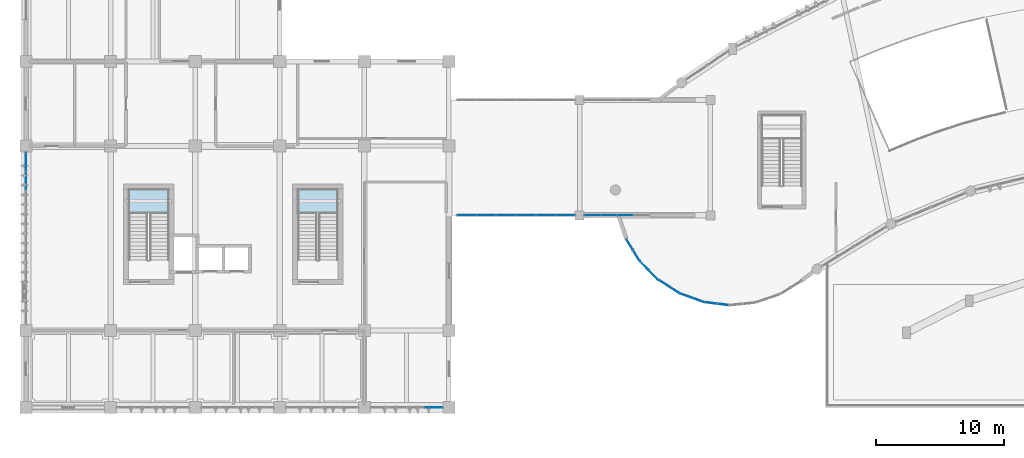
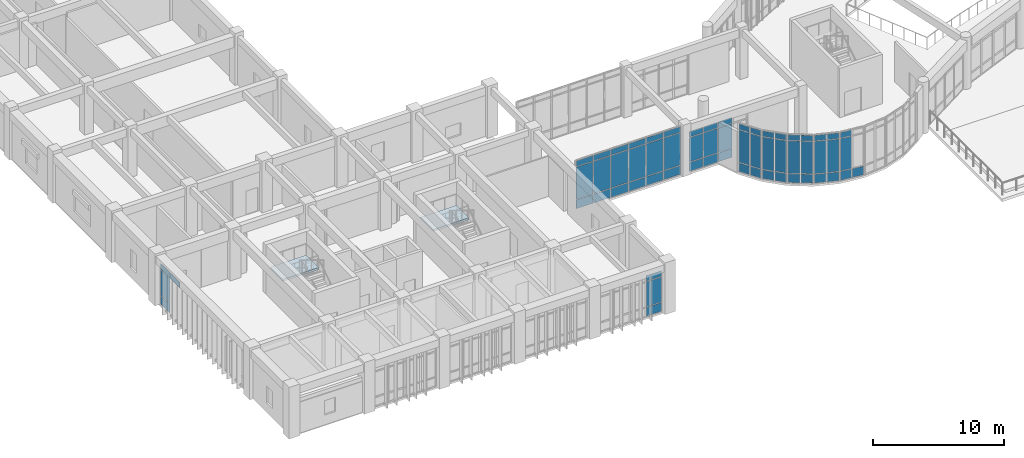
# One storey, part 37 of 65: 62 plates, 2 slabs, 11 elements without a shape of their own.
"""IFC4 building model written with IfcOpenShell, lengths in metres."""

from ifc_helpers import new_model, si_unit, direction, frame, origin, origin_2d, place, context, subcontext, project, spatial, polyline, rectangle, outline, extrude, material, layer, layer_set, type_object, element, aggregate, save


model = new_model("IFC4")

# Units and contexts
model_context = context("Model", 3, precision=1e-05, world=origin(), true_north=direction((0.0, 1.0)))
body_context = subcontext(model_context, "Body", "Model", "MODEL_VIEW")
ifc_project = project(units=[si_unit("LENGTHUNIT", "METRE"), si_unit("AREAUNIT", "SQUARE_METRE"), si_unit("VOLUMEUNIT", "CUBIC_METRE"), si_unit("PLANEANGLEUNIT", "RADIAN"), si_unit("MASSUNIT", "GRAM", prefix="KILO")], contexts=[model_context])

# Site, building, storey
site_placement = place(None, origin())
site = spatial("IfcSite", under=ifc_project, at=site_placement, CompositionType="ELEMENT")
building_placement = place(site_placement, origin())
building = spatial("IfcBuilding", under=site, at=building_placement, Name="Miralva Faculty of Natural Sciences", CompositionType="ELEMENT")
storey_placement = place(building_placement, frame((0.0, 0.0, 10.199951171875)))
storey = spatial("IfcBuildingStorey", under=building, at=storey_placement, Name="L02", CompositionType="ELEMENT", Elevation=10.199951171875)

# Curtain wall, plates
ifc_material_1 = material(Name="Laminated solar-control glass", Category="glass")
ifc_layer_1 = layer(ifc_material_1, 0.179931640625, Name="CW-RND-L01")
ifc_layer_set_1 = layer_set([ifc_layer_1], Name="Laminated solar-control glass")
curtain_wall_type_1 = type_object("IfcCurtainWallType", Name="CW-RND-L01", PredefinedType="USERDEFINED", material=ifc_layer_set_1)
curtain_wall_1_placement = place(storey_placement, origin())
curtain_wall_1 = element("IfcCurtainWall", 1, at=curtain_wall_1_placement, inside=storey, type_object=curtain_wall_type_1, Name="Curtain wall CW-05 L02-96", ObjectType="UNITISED CURTAIN WALL", PredefinedType="USERDEFINED")
ifc_layer_2 = layer(ifc_material_1, 0.028076171875, Name="PNL-P01")
ifc_layer_set_2 = layer_set([ifc_layer_2], Name="Laminated solar-control glass")
plate_type = type_object("IfcPlateType", Name="PNL-P01", PredefinedType="CURTAIN_PANEL", material=ifc_layer_set_2)
plate_1_placement = place(storey_placement, frame((56.412841796875, 11.1591796875, 0.06005859375), z_axis=(0.0, 0.0, 1.0), x_axis=(0.99254734183, -0.121859649701, 0.0)))
plate_1 = element("IfcPlate", 2, at=plate_1_placement, type_object=plate_type, Name="CW-05 panel 1.1", PredefinedType="CURTAIN_PANEL", context=body_context, shape_type="SweptSolid", body=[
    extrude(rectangle(XDim=0.91259765625, YDim=0.028076171875, at=origin_2d()), origin(), (0.0, 0.0, 1.0), 0.81005859375),
])
plate_2_placement = place(storey_placement, frame((56.412841796875, 11.1591796875, 0.93017578125), z_axis=(0.0, 0.0, 1.0), x_axis=(0.99254734183, -0.121859649701, 0.0)))
plate_2 = element("IfcPlate", 3, at=plate_2_placement, type_object=plate_type, Name="CW-05 panel 1.2", PredefinedType="CURTAIN_PANEL", context=body_context, shape_type="SweptSolid", body=[
    extrude(rectangle(XDim=0.91259765625, YDim=0.028076171875, at=origin_2d()), origin(), (0.0, 0.0, 1.0), 2.989990234375),
])
plate_3_placement = place(storey_placement, frame((56.412841796875, 11.1591796875, 3.97998046875), z_axis=(0.0, 0.0, 1.0), x_axis=(0.99254734183, -0.121859649701, 0.0)))
plate_3 = element("IfcPlate", 4, at=plate_3_placement, type_object=plate_type, Name="CW-05 panel 1.3", PredefinedType="CURTAIN_PANEL", context=body_context, shape_type="SweptSolid", body=[
    extrude(rectangle(XDim=0.91259765625, YDim=0.028076171875, at=origin_2d()), origin(), (0.0, 0.0, 1.0), 0.510009765625),
])
plate_4_placement = place(storey_placement, frame((57.38330078125, 11.0400390625, 0.06005859375), z_axis=(0.0, 0.0, 1.0), x_axis=(0.99254734183, -0.121859649701, 0.0)))
plate_4 = element("IfcPlate", 5, at=plate_4_placement, type_object=plate_type, Name="CW-05 panel 2.1", PredefinedType="CURTAIN_PANEL", context=body_context, shape_type="SweptSolid", body=[
    extrude(rectangle(XDim=0.91259765625, YDim=0.028076171875, at=origin_2d()), origin(), (0.0, 0.0, 1.0), 0.81005859375),
])
aggregate(curtain_wall_1, [plate_1, plate_2, plate_3, plate_4])

curtain_wall_2_placement = place(storey_placement, origin())
curtain_wall_2 = element("IfcCurtainWall", 6, at=curtain_wall_2_placement, inside=storey, type_object=curtain_wall_type_1, Name="Curtain wall CW-05 L02-97", ObjectType="UNITISED CURTAIN WALL", PredefinedType="USERDEFINED")
plate_5_placement = place(storey_placement, frame((54.490234375, 11.730224609375, 0.06005859375), z_axis=(0.0, 0.0, 1.0), x_axis=(0.940535451088, -0.339695547876, 0.0)))
plate_5 = element("IfcPlate", 7, at=plate_5_placement, type_object=plate_type, Name="CW-05 panel 1.1", PredefinedType="CURTAIN_PANEL", context=body_context, shape_type="SweptSolid", body=[
    extrude(rectangle(XDim=0.91259765625, YDim=0.028076171875, at=origin_2d()), origin(), (0.0, 0.0, 1.0), 0.81005859375),
])
plate_6_placement = place(storey_placement, frame((54.490234375, 11.730224609375, 0.93017578125), z_axis=(0.0, 0.0, 1.0), x_axis=(0.940535451088, -0.339695547876, 0.0)))
plate_6 = element("IfcPlate", 8, at=plate_6_placement, type_object=plate_type, Name="CW-05 panel 1.2", PredefinedType="CURTAIN_PANEL", context=body_context, shape_type="SweptSolid", body=[
    extrude(rectangle(XDim=0.91259765625, YDim=0.028076171875, at=origin_2d()), origin(), (0.0, 0.0, 1.0), 2.989990234375),
])
plate_7_placement = place(storey_placement, frame((54.490234375, 11.730224609375, 3.97998046875), z_axis=(0.0, 0.0, 1.0), x_axis=(0.940535451088, -0.339695547876, 0.0)))
plate_7 = element("IfcPlate", 9, at=plate_7_placement, type_object=plate_type, Name="CW-05 panel 1.3", PredefinedType="CURTAIN_PANEL", context=body_context, shape_type="SweptSolid", body=[
    extrude(rectangle(XDim=0.91259765625, YDim=0.028076171875, at=origin_2d()), origin(), (0.0, 0.0, 1.0), 0.510009765625),
])
plate_8_placement = place(storey_placement, frame((55.409912109375, 11.39794921875, 0.06005859375), z_axis=(0.0, 0.0, 1.0), x_axis=(0.940535451088, -0.339695547876, 0.0)))
plate_8 = element("IfcPlate", 10, at=plate_8_placement, type_object=plate_type, Name="CW-05 panel 2.1", PredefinedType="CURTAIN_PANEL", context=body_context, shape_type="SweptSolid", body=[
    extrude(rectangle(XDim=0.91259765625, YDim=0.028076171875, at=origin_2d()), origin(), (0.0, 0.0, 1.0), 0.81005859375),
])
plate_9_placement = place(storey_placement, frame((55.409912109375, 11.39794921875, 0.93017578125), z_axis=(0.0, 0.0, 1.0), x_axis=(0.940535451088, -0.339695547876, 0.0)))
plate_9 = element("IfcPlate", 11, at=plate_9_placement, type_object=plate_type, Name="CW-05 panel 2.2", PredefinedType="CURTAIN_PANEL", context=body_context, shape_type="SweptSolid", body=[
    extrude(rectangle(XDim=0.91259765625, YDim=0.028076171875, at=origin_2d()), origin(), (0.0, 0.0, 1.0), 2.989990234375),
])
plate_10_placement = place(storey_placement, frame((55.409912109375, 11.39794921875, 3.97998046875), z_axis=(0.0, 0.0, 1.0), x_axis=(0.940535451088, -0.339695547876, 0.0)))
plate_10 = element("IfcPlate", 12, at=plate_10_placement, type_object=plate_type, Name="CW-05 panel 2.3", PredefinedType="CURTAIN_PANEL", context=body_context, shape_type="SweptSolid", body=[
    extrude(rectangle(XDim=0.91259765625, YDim=0.028076171875, at=origin_2d()), origin(), (0.0, 0.0, 1.0), 0.510009765625),
])
aggregate(curtain_wall_2, [plate_5, plate_6, plate_7, plate_8, plate_9, plate_10])

curtain_wall_3_placement = place(storey_placement, origin())
curtain_wall_3 = element("IfcCurtainWall", 13, at=curtain_wall_3_placement, inside=storey, type_object=curtain_wall_type_1, Name="Curtain wall CW-05 L02-98", ObjectType="UNITISED CURTAIN WALL", PredefinedType="USERDEFINED")
plate_11_placement = place(storey_placement, frame((52.742919921875, 12.714599609375, 0.06005859375), z_axis=(0.0, 0.0, 1.0), x_axis=(0.841379438185, -0.540444854725, 0.0)))
plate_11 = element("IfcPlate", 14, at=plate_11_placement, type_object=plate_type, Name="CW-05 panel 1.1", PredefinedType="CURTAIN_PANEL", context=body_context, shape_type="SweptSolid", body=[
    extrude(rectangle(XDim=0.91259765625, YDim=0.028076171875, at=origin_2d()), origin(), (0.0, 0.0, 1.0), 0.81005859375),
])
plate_12_placement = place(storey_placement, frame((52.742919921875, 12.714599609375, 0.93017578125), z_axis=(0.0, 0.0, 1.0), x_axis=(0.841379438185, -0.540444854725, 0.0)))
plate_12 = element("IfcPlate", 15, at=plate_12_placement, type_object=plate_type, Name="CW-05 panel 1.2", PredefinedType="CURTAIN_PANEL", context=body_context, shape_type="SweptSolid", body=[
    extrude(rectangle(XDim=0.91259765625, YDim=0.028076171875, at=origin_2d()), origin(), (0.0, 0.0, 1.0), 2.989990234375),
])
plate_13_placement = place(storey_placement, frame((52.742919921875, 12.714599609375, 3.97998046875), z_axis=(0.0, 0.0, 1.0), x_axis=(0.841379438185, -0.540444854725, 0.0)))
plate_13 = element("IfcPlate", 16, at=plate_13_placement, type_object=plate_type, Name="CW-05 panel 1.3", PredefinedType="CURTAIN_PANEL", context=body_context, shape_type="SweptSolid", body=[
    extrude(rectangle(XDim=0.91259765625, YDim=0.028076171875, at=origin_2d()), origin(), (0.0, 0.0, 1.0), 0.510009765625),
])
plate_14_placement = place(storey_placement, frame((53.565673828125, 12.186279296875, 0.06005859375), z_axis=(0.0, 0.0, 1.0), x_axis=(0.841379438185, -0.540444854725, 0.0)))
plate_14 = element("IfcPlate", 17, at=plate_14_placement, type_object=plate_type, Name="CW-05 panel 2.1", PredefinedType="CURTAIN_PANEL", context=body_context, shape_type="SweptSolid", body=[
    extrude(rectangle(XDim=0.91259765625, YDim=0.028076171875, at=origin_2d()), origin(), (0.0, 0.0, 1.0), 0.81005859375),
])
plate_15_placement = place(storey_placement, frame((53.565673828125, 12.186279296875, 0.93017578125), z_axis=(0.0, 0.0, 1.0), x_axis=(0.841379438185, -0.540444854725, 0.0)))
plate_15 = element("IfcPlate", 18, at=plate_15_placement, type_object=plate_type, Name="CW-05 panel 2.2", PredefinedType="CURTAIN_PANEL", context=body_context, shape_type="SweptSolid", body=[
    extrude(rectangle(XDim=0.91259765625, YDim=0.028076171875, at=origin_2d()), origin(), (0.0, 0.0, 1.0), 2.989990234375),
])
plate_16_placement = place(storey_placement, frame((53.565673828125, 12.186279296875, 3.97998046875), z_axis=(0.0, 0.0, 1.0), x_axis=(0.841379438185, -0.540444854725, 0.0)))
plate_16 = element("IfcPlate", 19, at=plate_16_placement, type_object=plate_type, Name="CW-05 panel 2.3", PredefinedType="CURTAIN_PANEL", context=body_context, shape_type="SweptSolid", body=[
    extrude(rectangle(XDim=0.91259765625, YDim=0.028076171875, at=origin_2d()), origin(), (0.0, 0.0, 1.0), 0.510009765625),
])
aggregate(curtain_wall_3, [plate_11, plate_12, plate_13, plate_14, plate_15, plate_16])

curtain_wall_4_placement = place(storey_placement, origin())
curtain_wall_4 = element("IfcCurtainWall", 20, at=curtain_wall_4_placement, inside=storey, type_object=curtain_wall_type_1, Name="Curtain wall CW-05 L02-99", ObjectType="UNITISED CURTAIN WALL", PredefinedType="USERDEFINED")
plate_17_placement = place(storey_placement, frame((51.258544921875, 14.063232421875, 0.06005859375), z_axis=(0.0, 0.0, 1.0), x_axis=(0.700018458929, -0.714124749017, 0.0)))
plate_17 = element("IfcPlate", 21, at=plate_17_placement, type_object=plate_type, Name="CW-05 panel 1.1", PredefinedType="CURTAIN_PANEL", context=body_context, shape_type="SweptSolid", body=[
    extrude(rectangle(XDim=0.91259765625, YDim=0.028076171875, at=origin_2d()), origin(), (0.0, 0.0, 1.0), 0.81005859375),
])
plate_18_placement = place(storey_placement, frame((51.258544921875, 14.063232421875, 0.93017578125), z_axis=(0.0, 0.0, 1.0), x_axis=(0.700018458929, -0.714124749017, 0.0)))
plate_18 = element("IfcPlate", 22, at=plate_18_placement, type_object=plate_type, Name="CW-05 panel 1.2", PredefinedType="CURTAIN_PANEL", context=body_context, shape_type="SweptSolid", body=[
    extrude(rectangle(XDim=0.91259765625, YDim=0.028076171875, at=origin_2d()), origin(), (0.0, 0.0, 1.0), 2.989990234375),
])
plate_19_placement = place(storey_placement, frame((51.258544921875, 14.063232421875, 3.97998046875), z_axis=(0.0, 0.0, 1.0), x_axis=(0.700018458929, -0.714124749017, 0.0)))
plate_19 = element("IfcPlate", 23, at=plate_19_placement, type_object=plate_type, Name="CW-05 panel 1.3", PredefinedType="CURTAIN_PANEL", context=body_context, shape_type="SweptSolid", body=[
    extrude(rectangle(XDim=0.91259765625, YDim=0.028076171875, at=origin_2d()), origin(), (0.0, 0.0, 1.0), 0.510009765625),
])
plate_20_placement = place(storey_placement, frame((51.94287109375, 13.364990234375, 0.06005859375), z_axis=(0.0, 0.0, 1.0), x_axis=(0.700018458929, -0.714124749017, 0.0)))
plate_20 = element("IfcPlate", 24, at=plate_20_placement, type_object=plate_type, Name="CW-05 panel 2.1", PredefinedType="CURTAIN_PANEL", context=body_context, shape_type="SweptSolid", body=[
    extrude(rectangle(XDim=0.91259765625, YDim=0.028076171875, at=origin_2d()), origin(), (0.0, 0.0, 1.0), 0.81005859375),
])
plate_21_placement = place(storey_placement, frame((51.94287109375, 13.364990234375, 0.93017578125), z_axis=(0.0, 0.0, 1.0), x_axis=(0.700018458929, -0.714124749017, 0.0)))
plate_21 = element("IfcPlate", 25, at=plate_21_placement, type_object=plate_type, Name="CW-05 panel 2.2", PredefinedType="CURTAIN_PANEL", context=body_context, shape_type="SweptSolid", body=[
    extrude(rectangle(XDim=0.91259765625, YDim=0.028076171875, at=origin_2d()), origin(), (0.0, 0.0, 1.0), 2.989990234375),
])
plate_22_placement = place(storey_placement, frame((51.94287109375, 13.364990234375, 3.97998046875), z_axis=(0.0, 0.0, 1.0), x_axis=(0.700018458929, -0.714124749017, 0.0)))
plate_22 = element("IfcPlate", 26, at=plate_22_placement, type_object=plate_type, Name="CW-05 panel 2.3", PredefinedType="CURTAIN_PANEL", context=body_context, shape_type="SweptSolid", body=[
    extrude(rectangle(XDim=0.91259765625, YDim=0.028076171875, at=origin_2d()), origin(), (0.0, 0.0, 1.0), 0.510009765625),
])
aggregate(curtain_wall_4, [plate_17, plate_18, plate_19, plate_20, plate_21, plate_22])

curtain_wall_5_placement = place(storey_placement, origin())
curtain_wall_5 = element("IfcCurtainWall", 27, at=curtain_wall_5_placement, inside=storey, type_object=curtain_wall_type_1, Name="Curtain wall CW-05 L02-100", ObjectType="UNITISED CURTAIN WALL", PredefinedType="USERDEFINED")
plate_23_placement = place(storey_placement, frame((50.111328125, 15.70849609375, 0.06005859375), z_axis=(0.0, 0.0, 1.0), x_axis=(0.523550543884, -0.851994617353, 0.0)))
plate_23 = element("IfcPlate", 28, at=plate_23_placement, type_object=plate_type, Name="CW-05 panel 1.1", PredefinedType="CURTAIN_PANEL", context=body_context, shape_type="SweptSolid", body=[
    extrude(rectangle(XDim=0.91259765625, YDim=0.028076171875, at=origin_2d()), origin(), (0.0, 0.0, 1.0), 0.81005859375),
])
plate_24_placement = place(storey_placement, frame((50.111328125, 15.70849609375, 0.93017578125), z_axis=(0.0, 0.0, 1.0), x_axis=(0.523550543884, -0.851994617353, 0.0)))
plate_24 = element("IfcPlate", 29, at=plate_24_placement, type_object=plate_type, Name="CW-05 panel 1.2", PredefinedType="CURTAIN_PANEL", context=body_context, shape_type="SweptSolid", body=[
    extrude(rectangle(XDim=0.91259765625, YDim=0.028076171875, at=origin_2d()), origin(), (0.0, 0.0, 1.0), 2.989990234375),
])
plate_25_placement = place(storey_placement, frame((50.111328125, 15.70849609375, 3.97998046875), z_axis=(0.0, 0.0, 1.0), x_axis=(0.523550543884, -0.851994617353, 0.0)))
plate_25 = element("IfcPlate", 30, at=plate_25_placement, type_object=plate_type, Name="CW-05 panel 1.3", PredefinedType="CURTAIN_PANEL", context=body_context, shape_type="SweptSolid", body=[
    extrude(rectangle(XDim=0.91259765625, YDim=0.028076171875, at=origin_2d()), origin(), (0.0, 0.0, 1.0), 0.510009765625),
])
plate_26_placement = place(storey_placement, frame((50.623046875, 14.87548828125, 0.06005859375), z_axis=(0.0, 0.0, 1.0), x_axis=(0.523550543884, -0.851994617353, 0.0)))
plate_26 = element("IfcPlate", 31, at=plate_26_placement, type_object=plate_type, Name="CW-05 panel 2.1", PredefinedType="CURTAIN_PANEL", context=body_context, shape_type="SweptSolid", body=[
    extrude(rectangle(XDim=0.91259765625, YDim=0.028076171875, at=origin_2d()), origin(), (0.0, 0.0, 1.0), 0.81005859375),
])
plate_27_placement = place(storey_placement, frame((50.623046875, 14.87548828125, 0.93017578125), z_axis=(0.0, 0.0, 1.0), x_axis=(0.523550543884, -0.851994617353, 0.0)))
plate_27 = element("IfcPlate", 32, at=plate_27_placement, type_object=plate_type, Name="CW-05 panel 2.2", PredefinedType="CURTAIN_PANEL", context=body_context, shape_type="SweptSolid", body=[
    extrude(rectangle(XDim=0.91259765625, YDim=0.028076171875, at=origin_2d()), origin(), (0.0, 0.0, 1.0), 2.989990234375),
])
plate_28_placement = place(storey_placement, frame((50.623046875, 14.87548828125, 3.97998046875), z_axis=(0.0, 0.0, 1.0), x_axis=(0.523550543884, -0.851994617353, 0.0)))
plate_28 = element("IfcPlate", 33, at=plate_28_placement, type_object=plate_type, Name="CW-05 panel 2.3", PredefinedType="CURTAIN_PANEL", context=body_context, shape_type="SweptSolid", body=[
    extrude(rectangle(XDim=0.91259765625, YDim=0.028076171875, at=origin_2d()), origin(), (0.0, 0.0, 1.0), 0.510009765625),
])
aggregate(curtain_wall_5, [plate_23, plate_24, plate_25, plate_26, plate_27, plate_28])

ifc_layer_3 = layer(ifc_material_1, 0.179931640625, Name="CW-TWR-L01")
ifc_layer_set_3 = layer_set([ifc_layer_3], Name="Laminated solar-control glass")
curtain_wall_type_2 = type_object("IfcCurtainWallType", Name="CW-TWR-L01", PredefinedType="USERDEFINED", material=ifc_layer_set_3)
curtain_wall_6_placement = place(storey_placement, origin())
curtain_wall_6 = element("IfcCurtainWall", 34, at=curtain_wall_6_placement, inside=storey, type_object=curtain_wall_type_2, Name="Curtain wall CW-13 L02-222", ObjectType="UNITISED CURTAIN WALL", PredefinedType="USERDEFINED")
plate_29_placement = place(storey_placement, frame((34.8173828125, 3.0, 0.06005859375), z_axis=(0.0, 0.0, 1.0), x_axis=(1.0, 0.0, 0.0)))
plate_29 = element("IfcPlate", 35, at=plate_29_placement, type_object=plate_type, Name="CW-13 panel 4.1", PredefinedType="CURTAIN_PANEL", context=body_context, shape_type="SweptSolid", body=[
    extrude(rectangle(XDim=1.324951171875, YDim=0.028076171875, at=origin_2d()), origin(), (0.0, 0.0, 1.0), 0.81005859375),
])
plate_30_placement = place(storey_placement, frame((34.8173828125, 3.0, 0.93017578125), z_axis=(0.0, 0.0, 1.0), x_axis=(1.0, 0.0, 0.0)))
plate_30 = element("IfcPlate", 36, at=plate_30_placement, type_object=plate_type, Name="CW-13 panel 4.2", PredefinedType="CURTAIN_PANEL", context=body_context, shape_type="SweptSolid", body=[
    extrude(rectangle(XDim=1.324951171875, YDim=0.028076171875, at=origin_2d()), origin(), (0.0, 0.0, 1.0), 2.31494140625),
])
plate_31_placement = place(storey_placement, frame((34.8173828125, 3.0, 3.30517578125), z_axis=(0.0, 0.0, 1.0), x_axis=(1.0, 0.0, 0.0)))
plate_31 = element("IfcPlate", 37, at=plate_31_placement, type_object=plate_type, Name="CW-13 panel 4.3", PredefinedType="CURTAIN_PANEL", context=body_context, shape_type="SweptSolid", body=[
    extrude(rectangle(XDim=1.324951171875, YDim=0.028076171875, at=origin_2d()), origin(), (0.0, 0.0, 1.0), 0.510009765625),
])
aggregate(curtain_wall_6, [plate_29, plate_30, plate_31])

curtain_wall_7_placement = place(storey_placement, origin())
curtain_wall_7 = element("IfcCurtainWall", 38, at=curtain_wall_7_placement, inside=storey, type_object=curtain_wall_type_2, Name="Curtain wall CW-13 L02-223", ObjectType="UNITISED CURTAIN WALL", PredefinedType="USERDEFINED")
plate_32_placement = place(storey_placement, frame((3.0, 20.68994140625, 3.30517578125), z_axis=(0.0, 0.0, 1.0), x_axis=(0.0, 1.0, 0.0)))
plate_32 = element("IfcPlate", 39, at=plate_32_placement, type_object=plate_type, Name="CW-13 panel 8.3", PredefinedType="CURTAIN_PANEL", context=body_context, shape_type="SweptSolid", body=[
    extrude(rectangle(XDim=1.431640625, YDim=0.028076171875, at=origin_2d()), origin(), (0.0, 0.0, 1.0), 0.510009765625),
])
plate_33_placement = place(storey_placement, frame((3.0, 22.17041015625, 0.06005859375), z_axis=(0.0, 0.0, 1.0), x_axis=(0.0, 1.0, 0.0)))
plate_33 = element("IfcPlate", 40, at=plate_33_placement, type_object=plate_type, Name="CW-13 panel 9.1", PredefinedType="CURTAIN_PANEL", context=body_context, shape_type="SweptSolid", body=[
    extrude(rectangle(XDim=1.399169921875, YDim=0.028076171875, at=origin_2d()), origin(), (0.0, 0.0, 1.0), 0.81005859375),
])
plate_34_placement = place(storey_placement, frame((3.0, 22.17041015625, 0.93017578125), z_axis=(0.0, 0.0, 1.0), x_axis=(0.0, 1.0, 0.0)))
plate_34 = element("IfcPlate", 41, at=plate_34_placement, type_object=plate_type, Name="CW-13 panel 9.2", PredefinedType="CURTAIN_PANEL", context=body_context, shape_type="SweptSolid", body=[
    extrude(rectangle(XDim=1.399169921875, YDim=0.028076171875, at=origin_2d()), origin(), (0.0, 0.0, 1.0), 2.31494140625),
])
plate_35_placement = place(storey_placement, frame((3.0, 22.17041015625, 3.30517578125), z_axis=(0.0, 0.0, 1.0), x_axis=(0.0, 1.0, 0.0)))
plate_35 = element("IfcPlate", 42, at=plate_35_placement, type_object=plate_type, Name="CW-13 panel 9.3", PredefinedType="CURTAIN_PANEL", context=body_context, shape_type="SweptSolid", body=[
    extrude(rectangle(XDim=1.399169921875, YDim=0.028076171875, at=origin_2d()), origin(), (0.0, 0.0, 1.0), 0.510009765625),
])
aggregate(curtain_wall_7, [plate_32, plate_33, plate_34, plate_35])

ifc_layer_4 = layer(ifc_material_1, 0.179931640625, Name="CW-COM-L01")
ifc_layer_set_4 = layer_set([ifc_layer_4], Name="Laminated solar-control glass")
curtain_wall_type_3 = type_object("IfcCurtainWallType", Name="CW-COM-L01", PredefinedType="USERDEFINED", material=ifc_layer_set_4)
curtain_wall_8_placement = place(storey_placement, origin())
curtain_wall_8 = element("IfcCurtainWall", 43, at=curtain_wall_8_placement, inside=storey, type_object=curtain_wall_type_3, Name="Curtain wall CW-10 L02-294", ObjectType="UNITISED CURTAIN WALL", PredefinedType="USERDEFINED")
plate_36_placement = place(storey_placement, frame((37.405517578125, 18.0, 0.06005859375), z_axis=(0.0, 0.0, 1.0), x_axis=(1.0, 0.0, 0.0)))
plate_36 = element("IfcPlate", 44, at=plate_36_placement, type_object=plate_type, Name="CW-10 panel 1.1", PredefinedType="CURTAIN_PANEL", context=body_context, shape_type="SweptSolid", body=[
    extrude(rectangle(XDim=1.450927734375, YDim=0.028076171875, at=origin_2d()), origin(), (0.0, 0.0, 1.0), 0.81005859375),
])
plate_37_placement = place(storey_placement, frame((37.405517578125, 18.0, 0.93017578125), z_axis=(0.0, 0.0, 1.0), x_axis=(1.0, 0.0, 0.0)))
plate_37 = element("IfcPlate", 45, at=plate_37_placement, type_object=plate_type, Name="CW-10 panel 1.2", PredefinedType="CURTAIN_PANEL", context=body_context, shape_type="SweptSolid", body=[
    extrude(rectangle(XDim=1.450927734375, YDim=0.028076171875, at=origin_2d()), origin(), (0.0, 0.0, 1.0), 2.989990234375),
])
plate_38_placement = place(storey_placement, frame((37.405517578125, 18.0, 3.97998046875), z_axis=(0.0, 0.0, 1.0), x_axis=(1.0, 0.0, 0.0)))
plate_38 = element("IfcPlate", 46, at=plate_38_placement, type_object=plate_type, Name="CW-10 panel 1.3", PredefinedType="CURTAIN_PANEL", context=body_context, shape_type="SweptSolid", body=[
    extrude(rectangle(XDim=1.450927734375, YDim=0.028076171875, at=origin_2d()), origin(), (0.0, 0.0, 1.0), 0.510009765625),
])
plate_39_placement = place(storey_placement, frame((38.93115234375, 18.0, 0.06005859375), z_axis=(0.0, 0.0, 1.0), x_axis=(1.0, 0.0, 0.0)))
plate_39 = element("IfcPlate", 47, at=plate_39_placement, type_object=plate_type, Name="CW-10 panel 2.1", PredefinedType="CURTAIN_PANEL", context=body_context, shape_type="SweptSolid", body=[
    extrude(rectangle(XDim=1.480712890625, YDim=0.028076171875, at=origin_2d()), origin(), (0.0, 0.0, 1.0), 0.81005859375),
])
plate_40_placement = place(storey_placement, frame((38.93115234375, 18.0, 0.93017578125), z_axis=(0.0, 0.0, 1.0), x_axis=(1.0, 0.0, 0.0)))
plate_40 = element("IfcPlate", 48, at=plate_40_placement, type_object=plate_type, Name="CW-10 panel 2.2", PredefinedType="CURTAIN_PANEL", context=body_context, shape_type="SweptSolid", body=[
    extrude(rectangle(XDim=1.480712890625, YDim=0.028076171875, at=origin_2d()), origin(), (0.0, 0.0, 1.0), 2.989990234375),
])
plate_41_placement = place(storey_placement, frame((38.93115234375, 18.0, 3.97998046875), z_axis=(0.0, 0.0, 1.0), x_axis=(1.0, 0.0, 0.0)))
plate_41 = element("IfcPlate", 49, at=plate_41_placement, type_object=plate_type, Name="CW-10 panel 2.3", PredefinedType="CURTAIN_PANEL", context=body_context, shape_type="SweptSolid", body=[
    extrude(rectangle(XDim=1.480712890625, YDim=0.028076171875, at=origin_2d()), origin(), (0.0, 0.0, 1.0), 0.510009765625),
])
plate_42_placement = place(storey_placement, frame((40.47216796875, 18.0, 0.06005859375), z_axis=(0.0, 0.0, 1.0), x_axis=(1.0, 0.0, 0.0)))
plate_42 = element("IfcPlate", 50, at=plate_42_placement, type_object=plate_type, Name="CW-10 panel 3.1", PredefinedType="CURTAIN_PANEL", context=body_context, shape_type="SweptSolid", body=[
    extrude(rectangle(XDim=1.480712890625, YDim=0.028076171875, at=origin_2d()), origin(), (0.0, 0.0, 1.0), 0.81005859375),
])
plate_43_placement = place(storey_placement, frame((40.47216796875, 18.0, 0.93017578125), z_axis=(0.0, 0.0, 1.0), x_axis=(1.0, 0.0, 0.0)))
plate_43 = element("IfcPlate", 51, at=plate_43_placement, type_object=plate_type, Name="CW-10 panel 3.2", PredefinedType="CURTAIN_PANEL", context=body_context, shape_type="SweptSolid", body=[
    extrude(rectangle(XDim=1.480712890625, YDim=0.028076171875, at=origin_2d()), origin(), (0.0, 0.0, 1.0), 2.989990234375),
])
plate_44_placement = place(storey_placement, frame((40.47216796875, 18.0, 3.97998046875), z_axis=(0.0, 0.0, 1.0), x_axis=(1.0, 0.0, 0.0)))
plate_44 = element("IfcPlate", 52, at=plate_44_placement, type_object=plate_type, Name="CW-10 panel 3.3", PredefinedType="CURTAIN_PANEL", context=body_context, shape_type="SweptSolid", body=[
    extrude(rectangle(XDim=1.480712890625, YDim=0.028076171875, at=origin_2d()), origin(), (0.0, 0.0, 1.0), 0.510009765625),
])
plate_45_placement = place(storey_placement, frame((42.012939453125, 18.0, 0.06005859375), z_axis=(0.0, 0.0, 1.0), x_axis=(1.0, 0.0, 0.0)))
plate_45 = element("IfcPlate", 53, at=plate_45_placement, type_object=plate_type, Name="CW-10 panel 4.1", PredefinedType="CURTAIN_PANEL", context=body_context, shape_type="SweptSolid", body=[
    extrude(rectangle(XDim=1.480712890625, YDim=0.028076171875, at=origin_2d()), origin(), (0.0, 0.0, 1.0), 0.81005859375),
])
plate_46_placement = place(storey_placement, frame((42.012939453125, 18.0, 0.93017578125), z_axis=(0.0, 0.0, 1.0), x_axis=(1.0, 0.0, 0.0)))
plate_46 = element("IfcPlate", 54, at=plate_46_placement, type_object=plate_type, Name="CW-10 panel 4.2", PredefinedType="CURTAIN_PANEL", context=body_context, shape_type="SweptSolid", body=[
    extrude(rectangle(XDim=1.480712890625, YDim=0.028076171875, at=origin_2d()), origin(), (0.0, 0.0, 1.0), 2.989990234375),
])
plate_47_placement = place(storey_placement, frame((42.012939453125, 18.0, 3.97998046875), z_axis=(0.0, 0.0, 1.0), x_axis=(1.0, 0.0, 0.0)))
plate_47 = element("IfcPlate", 55, at=plate_47_placement, type_object=plate_type, Name="CW-10 panel 4.3", PredefinedType="CURTAIN_PANEL", context=body_context, shape_type="SweptSolid", body=[
    extrude(rectangle(XDim=1.480712890625, YDim=0.028076171875, at=origin_2d()), origin(), (0.0, 0.0, 1.0), 0.510009765625),
])
plate_48_placement = place(storey_placement, frame((43.5537109375, 18.0, 0.06005859375), z_axis=(0.0, 0.0, 1.0), x_axis=(1.0, 0.0, 0.0)))
plate_48 = element("IfcPlate", 56, at=plate_48_placement, type_object=plate_type, Name="CW-10 panel 5.1", PredefinedType="CURTAIN_PANEL", context=body_context, shape_type="SweptSolid", body=[
    extrude(rectangle(XDim=1.480712890625, YDim=0.028076171875, at=origin_2d()), origin(), (0.0, 0.0, 1.0), 0.81005859375),
])
plate_49_placement = place(storey_placement, frame((43.5537109375, 18.0, 0.93017578125), z_axis=(0.0, 0.0, 1.0), x_axis=(1.0, 0.0, 0.0)))
plate_49 = element("IfcPlate", 57, at=plate_49_placement, type_object=plate_type, Name="CW-10 panel 5.2", PredefinedType="CURTAIN_PANEL", context=body_context, shape_type="SweptSolid", body=[
    extrude(rectangle(XDim=1.480712890625, YDim=0.028076171875, at=origin_2d()), origin(), (0.0, 0.0, 1.0), 2.989990234375),
])
plate_50_placement = place(storey_placement, frame((43.5537109375, 18.0, 3.97998046875), z_axis=(0.0, 0.0, 1.0), x_axis=(1.0, 0.0, 0.0)))
plate_50 = element("IfcPlate", 58, at=plate_50_placement, type_object=plate_type, Name="CW-10 panel 5.3", PredefinedType="CURTAIN_PANEL", context=body_context, shape_type="SweptSolid", body=[
    extrude(rectangle(XDim=1.480712890625, YDim=0.028076171875, at=origin_2d()), origin(), (0.0, 0.0, 1.0), 0.510009765625),
])
plate_51_placement = place(storey_placement, frame((45.07958984375, 18.0, 0.06005859375), z_axis=(0.0, 0.0, 1.0), x_axis=(1.0, 0.0, 0.0)))
plate_51 = element("IfcPlate", 59, at=plate_51_placement, type_object=plate_type, Name="CW-10 panel 6.1", PredefinedType="CURTAIN_PANEL", context=body_context, shape_type="SweptSolid", body=[
    extrude(rectangle(XDim=1.450927734375, YDim=0.028076171875, at=origin_2d()), origin(), (0.0, 0.0, 1.0), 0.81005859375),
])
plate_52_placement = place(storey_placement, frame((45.07958984375, 18.0, 0.93017578125), z_axis=(0.0, 0.0, 1.0), x_axis=(1.0, 0.0, 0.0)))
plate_52 = element("IfcPlate", 60, at=plate_52_placement, type_object=plate_type, Name="CW-10 panel 6.2", PredefinedType="CURTAIN_PANEL", context=body_context, shape_type="SweptSolid", body=[
    extrude(rectangle(XDim=1.450927734375, YDim=0.028076171875, at=origin_2d()), origin(), (0.0, 0.0, 1.0), 2.989990234375),
])
plate_53_placement = place(storey_placement, frame((45.07958984375, 18.0, 3.97998046875), z_axis=(0.0, 0.0, 1.0), x_axis=(1.0, 0.0, 0.0)))
plate_53 = element("IfcPlate", 61, at=plate_53_placement, type_object=plate_type, Name="CW-10 panel 6.3", PredefinedType="CURTAIN_PANEL", context=body_context, shape_type="SweptSolid", body=[
    extrude(rectangle(XDim=1.450927734375, YDim=0.028076171875, at=origin_2d()), origin(), (0.0, 0.0, 1.0), 0.510009765625),
])
aggregate(curtain_wall_8, [plate_36, plate_37, plate_38, plate_39, plate_40, plate_41, plate_42, plate_43, plate_44, plate_45, plate_46, plate_47, plate_48, plate_49, plate_50, plate_51, plate_52, plate_53])

curtain_wall_9_placement = place(storey_placement, origin())
curtain_wall_9 = element("IfcCurtainWall", 62, at=curtain_wall_9_placement, inside=storey, type_object=curtain_wall_type_3, Name="Curtain wall CW-10 L02-295", ObjectType="UNITISED CURTAIN WALL", PredefinedType="USERDEFINED")
plate_54_placement = place(storey_placement, frame((47.193115234375, 18.0, 0.06005859375), z_axis=(0.0, 0.0, 1.0), x_axis=(1.0, 0.0, 0.0)))
plate_54 = element("IfcPlate", 63, at=plate_54_placement, type_object=plate_type, Name="CW-10 panel 1.1", PredefinedType="CURTAIN_PANEL", context=body_context, shape_type="SweptSolid", body=[
    extrude(rectangle(XDim=1.1962890625, YDim=0.028076171875, at=origin_2d()), origin(), (0.0, 0.0, 1.0), 0.81005859375),
])
plate_55_placement = place(storey_placement, frame((47.193115234375, 18.0, 0.929931640625), z_axis=(0.0, 0.0, 1.0), x_axis=(1.0, 0.0, 0.0)))
plate_55 = element("IfcPlate", 64, at=plate_55_placement, type_object=plate_type, Name="CW-10 panel 1.2", PredefinedType="CURTAIN_PANEL", context=body_context, shape_type="SweptSolid", body=[
    extrude(rectangle(XDim=1.1962890625, YDim=0.028076171875, at=origin_2d()), origin(), (0.0, 0.0, 1.0), 2.2451171875),
])
plate_56_placement = place(storey_placement, frame((47.193115234375, 18.0, 3.23486328125), z_axis=(0.0, 0.0, 1.0), x_axis=(1.0, 0.0, 0.0)))
plate_56 = element("IfcPlate", 65, at=plate_56_placement, type_object=plate_type, Name="CW-10 panel 1.3", PredefinedType="CURTAIN_PANEL", context=body_context, shape_type="SweptSolid", body=[
    extrude(rectangle(XDim=1.1962890625, YDim=0.028076171875, at=origin_2d()), origin(), (0.0, 0.0, 1.0), 0.510009765625),
])
plate_57_placement = place(storey_placement, frame((48.46435546875, 18.0, 0.06005859375), z_axis=(0.0, 0.0, 1.0), x_axis=(1.0, 0.0, 0.0)))
plate_57 = element("IfcPlate", 66, at=plate_57_placement, type_object=plate_type, Name="CW-10 panel 2.1", PredefinedType="CURTAIN_PANEL", context=body_context, shape_type="SweptSolid", body=[
    extrude(rectangle(XDim=1.226318359375, YDim=0.028076171875, at=origin_2d()), origin(), (0.0, 0.0, 1.0), 0.81005859375),
])
plate_58_placement = place(storey_placement, frame((48.46435546875, 18.0, 0.929931640625), z_axis=(0.0, 0.0, 1.0), x_axis=(1.0, 0.0, 0.0)))
plate_58 = element("IfcPlate", 67, at=plate_58_placement, type_object=plate_type, Name="CW-10 panel 2.2", PredefinedType="CURTAIN_PANEL", context=body_context, shape_type="SweptSolid", body=[
    extrude(rectangle(XDim=1.226318359375, YDim=0.028076171875, at=origin_2d()), origin(), (0.0, 0.0, 1.0), 2.2451171875),
])
plate_59_placement = place(storey_placement, frame((48.46435546875, 18.0, 3.23486328125), z_axis=(0.0, 0.0, 1.0), x_axis=(1.0, 0.0, 0.0)))
plate_59 = element("IfcPlate", 68, at=plate_59_placement, type_object=plate_type, Name="CW-10 panel 2.3", PredefinedType="CURTAIN_PANEL", context=body_context, shape_type="SweptSolid", body=[
    extrude(rectangle(XDim=1.226318359375, YDim=0.028076171875, at=origin_2d()), origin(), (0.0, 0.0, 1.0), 0.510009765625),
])
plate_60_placement = place(storey_placement, frame((49.750732421875, 18.0, 0.06005859375), z_axis=(0.0, 0.0, 1.0), x_axis=(1.0, 0.0, 0.0)))
plate_60 = element("IfcPlate", 69, at=plate_60_placement, type_object=plate_type, Name="CW-10 panel 3.1", PredefinedType="CURTAIN_PANEL", context=body_context, shape_type="SweptSolid", body=[
    extrude(rectangle(XDim=1.226318359375, YDim=0.028076171875, at=origin_2d()), origin(), (0.0, 0.0, 1.0), 0.81005859375),
])
plate_61_placement = place(storey_placement, frame((49.750732421875, 18.0, 0.929931640625), z_axis=(0.0, 0.0, 1.0), x_axis=(1.0, 0.0, 0.0)))
plate_61 = element("IfcPlate", 70, at=plate_61_placement, type_object=plate_type, Name="CW-10 panel 3.2", PredefinedType="CURTAIN_PANEL", context=body_context, shape_type="SweptSolid", body=[
    extrude(rectangle(XDim=1.226318359375, YDim=0.028076171875, at=origin_2d()), origin(), (0.0, 0.0, 1.0), 2.2451171875),
])
plate_62_placement = place(storey_placement, frame((49.750732421875, 18.0, 3.23486328125), z_axis=(0.0, 0.0, 1.0), x_axis=(1.0, 0.0, 0.0)))
plate_62 = element("IfcPlate", 71, at=plate_62_placement, type_object=plate_type, Name="CW-10 panel 3.3", PredefinedType="CURTAIN_PANEL", context=body_context, shape_type="SweptSolid", body=[
    extrude(rectangle(XDim=1.226318359375, YDim=0.028076171875, at=origin_2d()), origin(), (0.0, 0.0, 1.0), 0.510009765625),
])
aggregate(curtain_wall_9, [plate_54, plate_55, plate_56, plate_57, plate_58, plate_59, plate_60, plate_61, plate_62])

# Stair, slab
ifc_material_2 = material(Name="Concrete C40/50", Category="concrete")
stair_type = type_object("IfcStairType", Name="ST-CORE-480", PredefinedType="HALF_TURN_STAIR", material=ifc_material_2)
stair_1_placement = place(storey_placement, origin())
stair_1 = element("IfcStair", 72, at=stair_1_placement, inside=storey, type_object=stair_type, Name="Exit Stair Core C1 (ST-02) L02", PredefinedType="HALF_TURN_STAIR")
ifc_layer_5 = layer(ifc_material_2, 0.18994140625, Name="SL-LD01")
ifc_layer_set_5 = layer_set([ifc_layer_5], Name="Concrete C40/50")
slab_type = type_object("IfcSlabType", Name="SL-LD01", PredefinedType="LANDING", material=ifc_layer_set_5)
slab_1_placement = place(storey_placement, frame((0.0, 0.0, 2.2099609375)))
slab_1 = element("IfcSlab", 73, at=slab_1_placement, type_object=slab_type, Name="ST-02 landing 1", PredefinedType="LANDING", context=body_context, shape_type="SweptSolid", body=[
    extrude(outline(polyline([(14.14990234375, 18.139892578125), (14.14990234375, 20.050048828125), (11.0, 20.050048828125), (11.0, 18.139892578125), (14.14990234375, 18.139892578125)])), origin(), (0.0, 0.0, 1.0), 0.190185546875),
])
aggregate(stair_1, [slab_1])

stair_2_placement = place(storey_placement, origin())
stair_2 = element("IfcStair", 74, at=stair_2_placement, inside=storey, type_object=stair_type, Name="Exit Stair Core C1B (ST-02) L02", PredefinedType="HALF_TURN_STAIR")
slab_2_placement = place(storey_placement, frame((0.0, 0.0, 2.2099609375)))
slab_2 = element("IfcSlab", 75, at=slab_2_placement, type_object=slab_type, Name="ST-02 landing 1", PredefinedType="LANDING", context=body_context, shape_type="SweptSolid", body=[
    extrude(outline(polyline([(27.35009765625, 18.139892578125), (27.35009765625, 20.050048828125), (24.199951171875, 20.050048828125), (24.199951171875, 18.139892578125), (27.35009765625, 18.139892578125)])), origin(), (0.0, 0.0, 1.0), 0.190185546875),
])
aggregate(stair_2, [slab_2])

save(model, "model.ifc")
